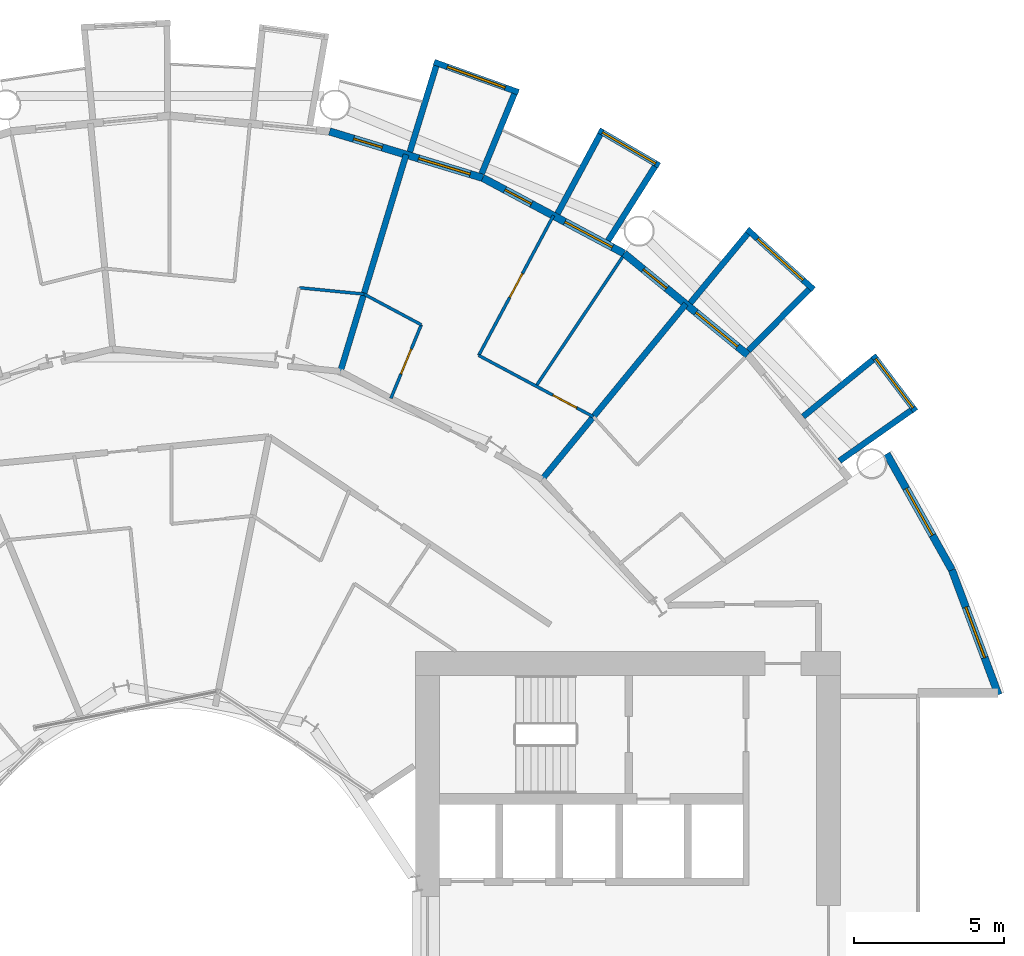
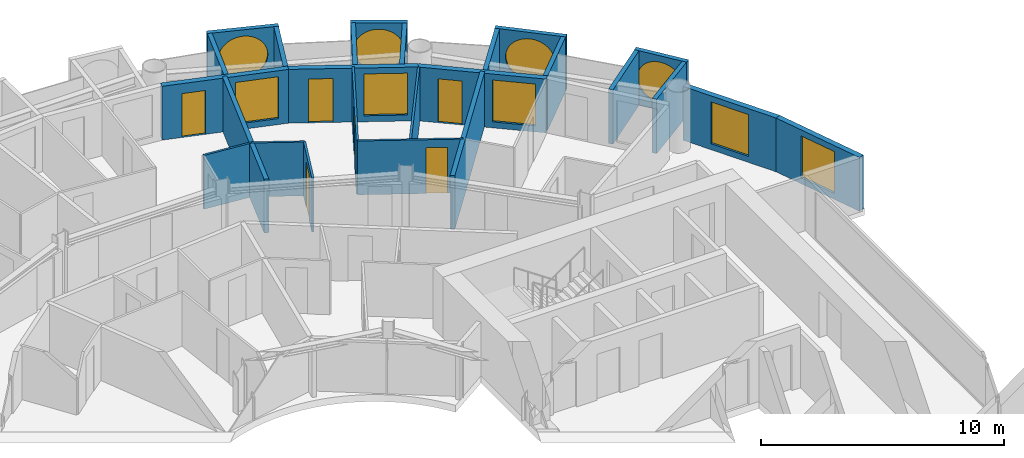
# One storey, part 22 of 26: 25 walls, 9 windows, 6 doors, 15 openings.
"""IFC4 building model written with IfcOpenShell, lengths in metres."""

from ifc_helpers import new_model, si_unit, direction, frame, frame_2d, origin, place, context, subcontext, project, spatial, rectangle, circle, extrude, material, layer, layer_set, type_object, element, fill, save


model = new_model("IFC4")

# Units and contexts
model_context = context("Model", 3, precision=1e-05, world=origin(), true_north=direction((0.0, 1.0)))
body_context = subcontext(model_context, "Body", "Model", "MODEL_VIEW")
ifc_project = project(units=[si_unit("LENGTHUNIT", "METRE"), si_unit("AREAUNIT", "SQUARE_METRE"), si_unit("VOLUMEUNIT", "CUBIC_METRE"), si_unit("PLANEANGLEUNIT", "RADIAN"), si_unit("MASSUNIT", "GRAM", prefix="KILO")], contexts=[model_context])

# Site, building, storey
site_placement = place(None, origin())
site = spatial("IfcSite", under=ifc_project, at=site_placement, CompositionType="ELEMENT")
building_placement = place(site_placement, origin())
building = spatial("IfcBuilding", under=site, at=building_placement, Name="Maasbend Ring Residences", CompositionType="ELEMENT")
storey_placement = place(building_placement, frame((0.0, 0.0, 22.800048828125)))
storey = spatial("IfcBuildingStorey", under=building, at=storey_placement, Name="L05", CompositionType="ELEMENT", Elevation=22.800048828125)

# Wall, opening, window
ifc_material_1 = material(Name="Pale anodised aluminium panel", Category="aluminium")
ifc_layer_1 = layer(ifc_material_1, 0.199951171875)
ifc_layer_set_1 = layer_set([ifc_layer_1], Name="EW-BOX")
wall_type_1 = type_object("IfcWallType", Name="EW-BOX", PredefinedType="SOLIDWALL", material=ifc_layer_set_1)
wall_1_placement = place(storey_placement, frame((24.908935546875, 17.427001953125, -0.030029296875), z_axis=(0.0, 0.0, 1.0), x_axis=(-0.60418752353, 0.796842165306, 0.0)))
wall_1 = element("IfcWall", 1, at=wall_1_placement, inside=storey, type_object=wall_type_1, Name="Box front N01", PredefinedType="SOLIDWALL", context=body_context, shape_type="SweptSolid", body=[
    extrude(rectangle(XDim=2.3369140625, YDim=0.199951171875, at=frame_2d((1.16845703125, 0.0))), origin(), (0.0, 0.0, 1.0), 2.72998046875),
])
opening_1_placement = place(wall_1_placement, frame((0.128173828125, 0.0, 0.330078125)))
opening_1 = element("IfcOpeningElement", 2, at=opening_1_placement, cuts=wall_1, Name="Opening W-RD", PredefinedType="OPENING", context=body_context, shape_type="SweptSolid", body=[
    extrude(circle(Radius=1.0400390625, at=frame_2d((1.0400390625, 1.0400390625))), frame((0.0, 0.10986328125, 0.0), z_axis=(0.0, -1.0, 0.0), x_axis=(1.0, 0.0, 0.0)), (0.0, 0.0, 1.0), 0.219970703125),
])
ifc_material_2 = material(Name="Aluminium and clear glass", Category="aluminium")
window_type_1 = type_object("IfcWindowType", Name="W-RD", PartitioningType="SINGLE_PANEL", PredefinedType="WINDOW", material=ifc_material_2)
window_1_placement = place(opening_1_placement, origin())
window_1 = element("IfcWindow", 3, at=window_1_placement, inside=storey, type_object=window_type_1, Name="Round window N01", OverallHeight=2.080078125, OverallWidth=2.080078125, PartitioningType="SINGLE_PANEL", PredefinedType="WINDOW", context=body_context, shape_type="SweptSolid", body=[
    extrude(circle(Radius=1.0400390625, at=frame_2d((1.0400390625, 1.0400390625))), frame((0.0, 0.030029296875, 0.0), z_axis=(0.0, -1.0, 0.0), x_axis=(1.0, 0.0, 0.0)), (0.0, 0.0, 1.0), 0.06005859375),
])
fill(opening_1, window_1)

# Walls
wall_2_placement = place(storey_placement, frame((22.3701171875, 15.764892578125, -0.030029296875), z_axis=(0.0, 0.0, 1.0), x_axis=(0.817256123454, 0.576274612209, 0.0)))
element("IfcWall", 4, at=wall_2_placement, inside=storey, type_object=wall_type_1, Name="Box side wall N01 left", PredefinedType="SOLIDWALL", context=body_context, shape_type="SweptSolid", body=[
    extrude(rectangle(XDim=2.932861328125, YDim=0.199951171875, at=frame_2d((1.46630859375, 0.0))), origin(), (0.0, 0.0, 1.0), 2.72998046875),
])
wall_3_placement = place(storey_placement, frame((21.155029296875, 17.24609375, -0.030029296875), z_axis=(0.0, 0.0, 1.0), x_axis=(0.775179004516, 0.631741648902, 0.0)))
element("IfcWall", 5, at=wall_3_placement, inside=storey, type_object=wall_type_1, Name="Box side wall N01 right", PredefinedType="SOLIDWALL", context=body_context, shape_type="SweptSolid", body=[
    extrude(rectangle(XDim=3.005859375, YDim=0.199951171875, at=frame_2d((1.5029296875, 0.0))), origin(), (0.0, 0.0, 1.0), 2.72998046875),
])

# Wall, opening, window
wall_4_placement = place(storey_placement, frame((21.5, 21.492919921875, -0.030029296875), z_axis=(0.0, 0.0, 1.0), x_axis=(-0.740998365753, 0.671506829416, 0.0)))
wall_4 = element("IfcWall", 6, at=wall_4_placement, inside=storey, type_object=wall_type_1, Name="Box front N03", PredefinedType="SOLIDWALL", context=body_context, shape_type="SweptSolid", body=[
    extrude(rectangle(XDim=2.9931640625, YDim=0.199951171875, at=frame_2d((1.49658203125, 0.0))), origin(), (0.0, 0.0, 1.0), 2.72998046875),
])
opening_2_placement = place(wall_4_placement, frame((0.45654296875, 0.0, 0.330078125)))
opening_2 = element("IfcOpeningElement", 7, at=opening_2_placement, cuts=wall_4, Name="Opening W-RD", PredefinedType="OPENING", context=body_context, shape_type="SweptSolid", body=[
    extrude(circle(Radius=1.0400390625, at=frame_2d((1.0400390625, 1.0400390625))), frame((0.0, 0.10986328125, 0.0), z_axis=(0.0, -1.0, 0.0), x_axis=(1.0, 0.0, 0.0)), (0.0, 0.0, 1.0), 0.219970703125),
])
window_2_placement = place(opening_2_placement, origin())
window_2 = element("IfcWindow", 8, at=window_2_placement, inside=storey, type_object=window_type_1, Name="Round window N03", OverallHeight=2.080078125, OverallWidth=2.080078125, PartitioningType="SINGLE_PANEL", PredefinedType="WINDOW", context=body_context, shape_type="SweptSolid", body=[
    extrude(circle(Radius=1.0400390625, at=frame_2d((1.0400390625, 1.0400390625))), frame((0.0, 0.030029296875, 0.0), z_axis=(0.0, -1.0, 0.0), x_axis=(1.0, 0.0, 0.0)), (0.0, 0.0, 1.0), 0.06005859375),
])
fill(opening_2, window_2)

# Walls
wall_5_placement = place(storey_placement, frame((19.322998046875, 19.449951171875, -0.030029296875), z_axis=(0.0, 0.0, 1.0), x_axis=(0.704476739375, 0.709727076896, 0.0)))
element("IfcWall", 9, at=wall_5_placement, inside=storey, type_object=wall_type_1, Name="Box side wall N03 left", PredefinedType="SOLIDWALL", context=body_context, shape_type="SweptSolid", body=[
    extrude(rectangle(XDim=2.883056640625, YDim=0.199951171875, at=frame_2d((1.44140625, 0.0))), origin(), (0.0, 0.0, 1.0), 2.72998046875),
])
wall_6_placement = place(storey_placement, frame((17.384033203125, 21.041015625, -0.030029296875), z_axis=(0.0, 0.0, 1.0), x_axis=(0.63709551667, 0.770784861449, 0.0)))
element("IfcWall", 10, at=wall_6_placement, inside=storey, type_object=wall_type_1, Name="Box side wall N03 right", PredefinedType="SOLIDWALL", context=body_context, shape_type="SweptSolid", body=[
    extrude(rectangle(XDim=3.005859375, YDim=0.199951171875, at=frame_2d((1.5029296875, 0.0))), origin(), (0.0, 0.0, 1.0), 2.72998046875),
])

# Wall, opening, window
wall_7_placement = place(storey_placement, frame((16.343994140625, 25.633056640625, -0.030029296875), z_axis=(0.0, 0.0, 1.0), x_axis=(-0.863346521872, 0.504611517081, 0.0)))
wall_7 = element("IfcWall", 11, at=wall_7_placement, inside=storey, type_object=wall_type_1, Name="Box front N05", PredefinedType="SOLIDWALL", context=body_context, shape_type="SweptSolid", body=[
    extrude(rectangle(XDim=2.33642578125, YDim=0.199951171875, at=frame_2d((1.168212890625, 0.0))), origin(), (0.0, 0.0, 1.0), 2.72998046875),
])
opening_3_placement = place(wall_7_placement, frame((0.128173828125, 0.0, 0.330078125)))
opening_3 = element("IfcOpeningElement", 12, at=opening_3_placement, cuts=wall_7, Name="Opening W-RD", PredefinedType="OPENING", context=body_context, shape_type="SweptSolid", body=[
    extrude(circle(Radius=1.0400390625, at=frame_2d((1.0400390625, 1.0400390625))), frame((0.0, 0.10986328125, 0.0), z_axis=(0.0, -1.0, 0.0), x_axis=(1.0, 0.0, 0.0)), (0.0, 0.0, 1.0), 0.219970703125),
])
window_3_placement = place(opening_3_placement, origin())
window_3 = element("IfcWindow", 13, at=window_3_placement, inside=storey, type_object=window_type_1, Name="Round window N05", OverallHeight=2.080078125, OverallWidth=2.080078125, PartitioningType="SINGLE_PANEL", PredefinedType="WINDOW", context=body_context, shape_type="SweptSolid", body=[
    extrude(circle(Radius=1.0400390625, at=frame_2d((1.0400390625, 1.0400390625))), frame((0.0, 0.030029296875, 0.0), z_axis=(0.0, -1.0, 0.0), x_axis=(1.0, 0.0, 0.0)), (0.0, 0.0, 1.0), 0.06005859375),
])
fill(opening_3, window_3)

# Walls
wall_8_placement = place(storey_placement, frame((14.635009765625, 23.1259765625, -0.030029296875), z_axis=(0.0, 0.0, 1.0), x_axis=(0.534437802731, 0.845207805816, 0.0)))
element("IfcWall", 14, at=wall_8_placement, inside=storey, type_object=wall_type_1, Name="Box side wall N05 left", PredefinedType="SOLIDWALL", context=body_context, shape_type="SweptSolid", body=[
    extrude(rectangle(XDim=2.931884765625, YDim=0.199951171875, at=frame_2d((1.4658203125, 0.0))), origin(), (0.0, 0.0, 1.0), 2.72998046875),
])
wall_9_placement = place(storey_placement, frame((12.945068359375, 24.029052734375, -0.030029296875), z_axis=(0.0, 0.0, 1.0), x_axis=(0.474424310775, 0.88029629861, 0.0)))
element("IfcWall", 15, at=wall_9_placement, inside=storey, type_object=wall_type_1, Name="Box side wall N05 right", PredefinedType="SOLIDWALL", context=body_context, shape_type="SweptSolid", body=[
    extrude(rectangle(XDim=3.005859375, YDim=0.199951171875, at=frame_2d((1.5029296875, 0.0))), origin(), (0.0, 0.0, 1.0), 2.72998046875),
])

# Wall, opening, window
wall_10_placement = place(storey_placement, frame((11.637939453125, 28.083984375, -0.030029296875), z_axis=(0.0, 0.0, 1.0), x_axis=(-0.941461077774, 0.337121697664, 0.0)))
wall_10 = element("IfcWall", 16, at=wall_10_placement, inside=storey, type_object=wall_type_1, Name="Box front N07", PredefinedType="SOLIDWALL", context=body_context, shape_type="SweptSolid", body=[
    extrude(rectangle(XDim=2.9931640625, YDim=0.199951171875, at=frame_2d((1.49658203125, 0.0))), origin(), (0.0, 0.0, 1.0), 2.72998046875),
])
opening_4_placement = place(wall_10_placement, frame((0.45654296875, 0.0, 0.330078125)))
opening_4 = element("IfcOpeningElement", 17, at=opening_4_placement, cuts=wall_10, Name="Opening W-RD", PredefinedType="OPENING", context=body_context, shape_type="SweptSolid", body=[
    extrude(circle(Radius=1.0400390625, at=frame_2d((1.0400390625, 1.0400390625))), frame((0.0, 0.10986328125, 0.0), z_axis=(0.0, -1.0, 0.0), x_axis=(1.0, 0.0, 0.0)), (0.0, 0.0, 1.0), 0.219970703125),
])
window_4_placement = place(opening_4_placement, origin())
window_4 = element("IfcWindow", 18, at=window_4_placement, inside=storey, type_object=window_type_1, Name="Round window N07", OverallHeight=2.080078125, OverallWidth=2.080078125, PartitioningType="SINGLE_PANEL", PredefinedType="WINDOW", context=body_context, shape_type="SweptSolid", body=[
    extrude(circle(Radius=1.0400390625, at=frame_2d((1.0400390625, 1.0400390625))), frame((0.0, 0.030029296875, 0.0), z_axis=(0.0, -1.0, 0.0), x_axis=(1.0, 0.0, 0.0)), (0.0, 0.0, 1.0), 0.06005859375),
])
fill(opening_4, window_4)

# Walls
wall_11_placement = place(storey_placement, frame((10.408935546875, 25.364013671875, -0.030029296875), z_axis=(0.0, 0.0, 1.0), x_axis=(0.379509886562, 0.925187681501, 0.0)))
element("IfcWall", 19, at=wall_11_placement, inside=storey, type_object=wall_type_1, Name="Box side wall N07 left", PredefinedType="SOLIDWALL", context=body_context, shape_type="SweptSolid", body=[
    extrude(rectangle(XDim=2.882568359375, YDim=0.199951171875, at=frame_2d((1.44140625, 0.0))), origin(), (0.0, 0.0, 1.0), 2.72998046875),
])
wall_12_placement = place(storey_placement, frame((8.009033203125, 26.092041015625, -0.030029296875), z_axis=(0.0, 0.0, 1.0), x_axis=(0.293406695073, 0.955987715029, 0.0)))
element("IfcWall", 20, at=wall_12_placement, inside=storey, type_object=wall_type_1, Name="Box side wall N07 right", PredefinedType="SOLIDWALL", context=body_context, shape_type="SweptSolid", body=[
    extrude(rectangle(XDim=3.00634765625, YDim=0.199951171875, at=frame_2d((1.503173828125, 0.0))), origin(), (0.0, 0.0, 1.0), 2.72998046875),
])

# Wall, openings, door, window
ifc_material_3 = material(Name="Aluminium clad insulated panel", Category="aluminium")
ifc_layer_2 = layer(ifc_material_3, 0.25)
ifc_layer_set_2 = layer_set([ifc_layer_2], Name="EW-GL")
wall_type_2 = type_object("IfcWallType", Name="EW-GL", PredefinedType="SOLIDWALL", material=ifc_layer_set_2)
wall_13_placement = place(storey_placement, frame((19.303955078125, 19.303955078125, 0.0), z_axis=(0.0, 0.0, 1.0), x_axis=(-0.773019449054, 0.634382322723, 0.0)))
wall_13 = element("IfcWall", 21, at=wall_13_placement, inside=storey, type_object=wall_type_2, Name="External wall N02", PredefinedType="SOLIDWALL", context=body_context, shape_type="SweptSolid", body=[
    extrude(rectangle(XDim=5.351806640625, YDim=0.25, at=frame_2d((2.67578125, 0.0))), origin(), (0.0, 0.0, 1.0), 2.699951171875),
])
opening_5_placement = place(wall_13_placement, frame((0.441162109375, 0.0, 0.300048828125)))
opening_5 = element("IfcOpeningElement", 22, at=opening_5_placement, cuts=wall_13, Name="Opening W-BX", PredefinedType="OPENING", context=body_context, shape_type="SweptSolid", body=[
    extrude(rectangle(XDim=1.800048828125, YDim=2.10009765625, at=frame_2d((0.89990234375, 1.050048828125))), frame((0.0, 0.135009765625, 0.0), z_axis=(0.0, -1.0, 0.0), x_axis=(1.0, 0.0, 0.0)), (0.0, 0.0, 1.0), 0.27001953125),
])
opening_6_placement = place(wall_13_placement, frame((3.510498046875, 0.0, 0.0)))
opening_6 = element("IfcOpeningElement", 23, at=opening_6_placement, cuts=wall_13, Name="Opening D-LG", PredefinedType="OPENING", context=body_context, shape_type="SweptSolid", body=[
    extrude(rectangle(XDim=1.0, YDim=2.199951171875, at=frame_2d((0.5, 1.10009765625))), frame((0.0, 0.135009765625, 0.0), z_axis=(0.0, -1.0, 0.0), x_axis=(1.0, 0.0, 0.0)), (0.0, 0.0, 1.0), 0.27001953125),
])
ifc_material_4 = material(Name="Aluminium and clear glass", Category="aluminium")
door_type_1 = type_object("IfcDoorType", Name="D-LG", OperationType="SINGLE_SWING_LEFT", PredefinedType="DOOR", material=ifc_material_4)
door_1_placement = place(opening_6_placement, origin())
door_1 = element("IfcDoor", 24, at=door_1_placement, inside=storey, type_object=door_type_1, Name="Loggia door N04", OperationType="SINGLE_SWING_LEFT", OverallHeight=2.199951171875, OverallWidth=1.0, PredefinedType="DOOR", context=body_context, shape_type="SweptSolid", body=[
    extrude(rectangle(XDim=1.0, YDim=2.199951171875, at=frame_2d((0.5, 1.10009765625))), frame((0.0, 0.02490234375, 0.0), z_axis=(0.0, -1.0, 0.0), x_axis=(1.0, 0.0, 0.0)), (0.0, 0.0, 1.0), 0.050048828125),
])
fill(opening_6, door_1)
ifc_material_5 = material(Name="Aluminium and clear glass", Category="aluminium")
window_type_2 = type_object("IfcWindowType", Name="W-BX", PartitioningType="DOUBLE_PANEL_VERTICAL", PredefinedType="WINDOW", material=ifc_material_5)
window_5_placement = place(opening_5_placement, origin())
window_5 = element("IfcWindow", 25, at=window_5_placement, inside=storey, type_object=window_type_2, Name="Window N03 room to box", OverallHeight=2.10009765625, OverallWidth=1.800048828125, PartitioningType="SINGLE_PANEL", PredefinedType="WINDOW", context=body_context, shape_type="SweptSolid", body=[
    extrude(rectangle(XDim=1.800048828125, YDim=2.10009765625, at=frame_2d((0.89990234375, 1.050048828125))), frame((0.0, 0.030029296875, 0.0), z_axis=(0.0, -1.0, 0.0), x_axis=(1.0, 0.0, 0.0)), (0.0, 0.0, 1.0), 0.06005859375),
])
fill(opening_5, window_5)

wall_14_placement = place(storey_placement, frame((15.1669921875, 22.698974609375, 0.0), z_axis=(0.0, 0.0, 1.0), x_axis=(-0.881915646801, 0.471407246368, 0.0)))
wall_14 = element("IfcWall", 26, at=wall_14_placement, inside=storey, type_object=wall_type_2, Name="External wall N03", PredefinedType="SOLIDWALL", context=body_context, shape_type="SweptSolid", body=[
    extrude(rectangle(XDim=5.35205078125, YDim=0.25, at=frame_2d((2.676025390625, 0.0))), origin(), (0.0, 0.0, 1.0), 2.699951171875),
])
opening_7_placement = place(wall_14_placement, frame((0.441162109375, 0.0, 0.300048828125)))
opening_7 = element("IfcOpeningElement", 27, at=opening_7_placement, cuts=wall_14, Name="Opening W-BX", PredefinedType="OPENING", context=body_context, shape_type="SweptSolid", body=[
    extrude(rectangle(XDim=1.800048828125, YDim=2.10009765625, at=frame_2d((0.89990234375, 1.050048828125))), frame((0.0, 0.135009765625, 0.0), z_axis=(0.0, -1.0, 0.0), x_axis=(1.0, 0.0, 0.0)), (0.0, 0.0, 1.0), 0.27001953125),
])
opening_8_placement = place(wall_14_placement, frame((3.510498046875, 0.0, 0.0)))
opening_8 = element("IfcOpeningElement", 28, at=opening_8_placement, cuts=wall_14, Name="Opening D-LG", PredefinedType="OPENING", context=body_context, shape_type="SweptSolid", body=[
    extrude(rectangle(XDim=1.0, YDim=2.199951171875, at=frame_2d((0.5, 1.10009765625))), frame((0.0, 0.135009765625, 0.0), z_axis=(0.0, -1.0, 0.0), x_axis=(1.0, 0.0, 0.0)), (0.0, 0.0, 1.0), 0.27001953125),
])
door_2_placement = place(opening_8_placement, origin())
door_2 = element("IfcDoor", 29, at=door_2_placement, inside=storey, type_object=door_type_1, Name="Loggia door N06", OperationType="SINGLE_SWING_LEFT", OverallHeight=2.199951171875, OverallWidth=1.0, PredefinedType="DOOR", context=body_context, shape_type="SweptSolid", body=[
    extrude(rectangle(XDim=1.0, YDim=2.199951171875, at=frame_2d((0.5, 1.10009765625))), frame((0.0, 0.02490234375, 0.0), z_axis=(0.0, -1.0, 0.0), x_axis=(1.0, 0.0, 0.0)), (0.0, 0.0, 1.0), 0.050048828125),
])
fill(opening_8, door_2)
window_6_placement = place(opening_7_placement, origin())
window_6 = element("IfcWindow", 30, at=window_6_placement, inside=storey, type_object=window_type_2, Name="Window N05 room to box", OverallHeight=2.10009765625, OverallWidth=1.800048828125, PartitioningType="SINGLE_PANEL", PredefinedType="WINDOW", context=body_context, shape_type="SweptSolid", body=[
    extrude(rectangle(XDim=1.800048828125, YDim=2.10009765625, at=frame_2d((0.89990234375, 1.050048828125))), frame((0.0, 0.030029296875, 0.0), z_axis=(0.0, -1.0, 0.0), x_axis=(1.0, 0.0, 0.0)), (0.0, 0.0, 1.0), 0.06005859375),
])
fill(opening_7, window_6)

wall_15_placement = place(storey_placement, frame((10.447021484375, 25.221923828125, 0.0), z_axis=(0.0, 0.0, 1.0), x_axis=(-0.956965678721, 0.290201119486, 0.0)))
wall_15 = element("IfcWall", 31, at=wall_15_placement, inside=storey, type_object=wall_type_2, Name="External wall N04", PredefinedType="SOLIDWALL", context=body_context, shape_type="SweptSolid", body=[
    extrude(rectangle(XDim=5.351318359375, YDim=0.25, at=frame_2d((2.67578125, 0.0))), origin(), (0.0, 0.0, 1.0), 2.699951171875),
])
opening_9_placement = place(wall_15_placement, frame((0.441162109375, 0.0, 0.300048828125)))
opening_9 = element("IfcOpeningElement", 32, at=opening_9_placement, cuts=wall_15, Name="Opening W-BX", PredefinedType="OPENING", context=body_context, shape_type="SweptSolid", body=[
    extrude(rectangle(XDim=1.800048828125, YDim=2.10009765625, at=frame_2d((0.89990234375, 1.050048828125))), frame((0.0, 0.135009765625, 0.0), z_axis=(0.0, -1.0, 0.0), x_axis=(1.0, 0.0, 0.0)), (0.0, 0.0, 1.0), 0.27001953125),
])
opening_10_placement = place(wall_15_placement, frame((3.510498046875, 0.0, 0.0)))
opening_10 = element("IfcOpeningElement", 33, at=opening_10_placement, cuts=wall_15, Name="Opening D-LG", PredefinedType="OPENING", context=body_context, shape_type="SweptSolid", body=[
    extrude(rectangle(XDim=1.0, YDim=2.199951171875, at=frame_2d((0.5, 1.10009765625))), frame((0.0, 0.135009765625, 0.0), z_axis=(0.0, -1.0, 0.0), x_axis=(1.0, 0.0, 0.0)), (0.0, 0.0, 1.0), 0.27001953125),
])
door_3_placement = place(opening_10_placement, origin())
door_3 = element("IfcDoor", 34, at=door_3_placement, inside=storey, type_object=door_type_1, Name="Loggia door N08", OperationType="SINGLE_SWING_LEFT", OverallHeight=2.199951171875, OverallWidth=1.0, PredefinedType="DOOR", context=body_context, shape_type="SweptSolid", body=[
    extrude(rectangle(XDim=1.0, YDim=2.199951171875, at=frame_2d((0.5, 1.10009765625))), frame((0.0, 0.02490234375, 0.0), z_axis=(0.0, -1.0, 0.0), x_axis=(1.0, 0.0, 0.0)), (0.0, 0.0, 1.0), 0.050048828125),
])
fill(opening_10, door_3)
window_7_placement = place(opening_9_placement, origin())
window_7 = element("IfcWindow", 35, at=window_7_placement, inside=storey, type_object=window_type_2, Name="Window N07 room to box", OverallHeight=2.10009765625, OverallWidth=1.800048828125, PartitioningType="SINGLE_PANEL", PredefinedType="WINDOW", context=body_context, shape_type="SweptSolid", body=[
    extrude(rectangle(XDim=1.800048828125, YDim=2.10009765625, at=frame_2d((0.89990234375, 1.050048828125))), frame((0.0, 0.030029296875, 0.0), z_axis=(0.0, -1.0, 0.0), x_axis=(1.0, 0.0, 0.0)), (0.0, 0.0, 1.0), 0.06005859375),
])
fill(opening_9, window_7)

# Wall, opening, window
ifc_material_6 = material(Name="Aluminium clad insulated panel", Category="aluminium")
ifc_layer_3 = layer(ifc_material_6, 0.25)
ifc_layer_set_3 = layer_set([ifc_layer_3], Name="EW-HORN")
wall_type_3 = type_object("IfcWallType", Name="EW-HORN", PredefinedType="SOLIDWALL", material=ifc_layer_set_3)
wall_16_placement = place(storey_placement, frame((27.681884765625, 7.945068359375, 0.0), z_axis=(0.0, 0.0, 1.0), x_axis=(-0.349247811493, 0.937030397675, 0.0)))
wall_16 = element("IfcWall", 36, at=wall_16_placement, inside=storey, type_object=wall_type_3, Name="Horn wall 1.1", PredefinedType="SOLIDWALL", context=body_context, shape_type="SweptSolid", body=[
    extrude(rectangle(XDim=4.4521484375, YDim=0.25, at=frame_2d((2.22607421875, 0.0))), origin(), (0.0, 0.0, 1.0), 2.699951171875),
])
opening_11_placement = place(wall_16_placement, frame((1.32666015625, 0.0, 0.300048828125)))
opening_11 = element("IfcOpeningElement", 37, at=opening_11_placement, cuts=wall_16, Name="Opening W-BX", PredefinedType="OPENING", context=body_context, shape_type="SweptSolid", body=[
    extrude(rectangle(XDim=1.800048828125, YDim=2.10009765625, at=frame_2d((0.89990234375, 1.050048828125))), frame((0.0, 0.135009765625, 0.0), z_axis=(0.0, -1.0, 0.0), x_axis=(1.0, 0.0, 0.0)), (0.0, 0.0, 1.0), 0.27001953125),
])
window_8_placement = place(opening_11_placement, origin())
window_8 = element("IfcWindow", 38, at=window_8_placement, inside=storey, type_object=window_type_2, Name="Horn window 1.1", OverallHeight=2.10009765625, OverallWidth=1.800048828125, PartitioningType="SINGLE_PANEL", PredefinedType="WINDOW", context=body_context, shape_type="SweptSolid", body=[
    extrude(rectangle(XDim=1.800048828125, YDim=2.10009765625, at=frame_2d((0.89990234375, 1.050048828125))), frame((0.0, 0.030029296875, 0.0), z_axis=(0.0, -1.0, 0.0), x_axis=(1.0, 0.0, 0.0)), (0.0, 0.0, 1.0), 0.06005859375),
])
fill(opening_11, window_8)

wall_17_placement = place(storey_placement, frame((26.126953125, 12.116943359375, 0.0), z_axis=(0.0, 0.0, 1.0), x_axis=(-0.489696356642, 0.871893042919, 0.0)))
wall_17 = element("IfcWall", 39, at=wall_17_placement, inside=storey, type_object=wall_type_3, Name="Horn wall 1.2", PredefinedType="SOLIDWALL", context=body_context, shape_type="SweptSolid", body=[
    extrude(rectangle(XDim=4.45361328125, YDim=0.25, at=frame_2d((2.226806640625, 0.0))), origin(), (0.0, 0.0, 1.0), 2.699951171875),
])
opening_12_placement = place(wall_17_placement, frame((1.32666015625, 0.0, 0.300048828125)))
opening_12 = element("IfcOpeningElement", 40, at=opening_12_placement, cuts=wall_17, Name="Opening W-BX", PredefinedType="OPENING", context=body_context, shape_type="SweptSolid", body=[
    extrude(rectangle(XDim=1.800048828125, YDim=2.10009765625, at=frame_2d((0.89990234375, 1.050048828125))), frame((0.0, 0.135009765625, 0.0), z_axis=(0.0, -1.0, 0.0), x_axis=(1.0, 0.0, 0.0)), (0.0, 0.0, 1.0), 0.27001953125),
])
window_9_placement = place(opening_12_placement, origin())
window_9 = element("IfcWindow", 41, at=window_9_placement, inside=storey, type_object=window_type_2, Name="Horn window 1.2", OverallHeight=2.10009765625, OverallWidth=1.800048828125, PartitioningType="SINGLE_PANEL", PredefinedType="WINDOW", context=body_context, shape_type="SweptSolid", body=[
    extrude(rectangle(XDim=1.800048828125, YDim=2.10009765625, at=frame_2d((0.89990234375, 1.050048828125))), frame((0.0, 0.030029296875, 0.0), z_axis=(0.0, -1.0, 0.0), x_axis=(1.0, 0.0, 0.0)), (0.0, 0.0, 1.0), 0.06005859375),
])
fill(opening_12, window_9)

# Wall, opening, door
ifc_material_7 = material(Name="Gypsum board on steel studs", Category="steel")
ifc_layer_4 = layer(ifc_material_7, 0.10009765625)
ifc_layer_set_4 = layer_set([ifc_layer_4], Name="PARTITION 100 GYPSUM")
wall_type_4 = type_object("IfcWallType", Name="PARTITION 100 GYPSUM", PredefinedType="PARTITIONING", material=ifc_layer_set_4)
wall_18_placement = place(storey_placement, frame((7.3759765625, 17.85498046875, 0.0), z_axis=(0.0, 0.0, 1.0), x_axis=(0.38190329031, 0.924202292169, 0.0)))
wall_18 = element("IfcWall", 42, at=wall_18_placement, inside=storey, type_object=wall_type_4, Name="U-L05-w083", PredefinedType="PARTITIONING", context=body_context, shape_type="SweptSolid", body=[
    extrude(rectangle(XDim=2.66064453125, YDim=0.10009765625, at=frame_2d((1.330322265625, 0.0))), origin(), (0.0, 0.0, 1.0), 2.699951171875),
])
opening_13_placement = place(wall_18_placement, frame((0.8798828125, 0.0, 0.0)))
opening_13 = element("IfcOpeningElement", 43, at=opening_13_placement, cuts=wall_18, Name="Opening D-0505", PredefinedType="OPENING", context=body_context, shape_type="SweptSolid", body=[
    extrude(rectangle(XDim=0.89990234375, YDim=2.300048828125, at=frame_2d((0.449951171875, 1.14990234375))), frame((0.0, 0.06005859375, 0.0), z_axis=(0.0, -1.0, 0.0), x_axis=(1.0, 0.0, 0.0)), (0.0, 0.0, 1.0), 0.1201171875),
])
ifc_material_8 = material(Name="Timber, painted", Category="wood")
door_type_2 = type_object("IfcDoorType", Name="INTERNAL DOOR 900 X 2300", OperationType="NOTDEFINED", PredefinedType="DOOR", material=ifc_material_8)
door_4_placement = place(opening_13_placement, origin())
door_4 = element("IfcDoor", 44, at=door_4_placement, inside=storey, type_object=door_type_2, Name="D-0505", OperationType="SINGLE_SWING_RIGHT", OverallHeight=2.300048828125, OverallWidth=0.89990234375, PredefinedType="DOOR", context=body_context, shape_type="SweptSolid", body=[
    extrude(rectangle(XDim=0.89990234375, YDim=2.300048828125, at=frame_2d((0.449951171875, 1.14990234375))), frame((0.0, 0.02490234375, 0.0), z_axis=(0.0, -1.0, 0.0), x_axis=(1.0, 0.0, 0.0)), (0.0, 0.0, 1.0), 0.050048828125),
])
fill(opening_13, door_4)

wall_19_placement = place(storey_placement, frame((10.31005859375, 19.2890625, 0.0), z_axis=(0.0, 0.0, 1.0), x_axis=(0.47140999111, 0.881914179658, 0.0)))
wall_19 = element("IfcWall", 45, at=wall_19_placement, inside=storey, type_object=wall_type_4, Name="U-L05-w084", PredefinedType="PARTITIONING", context=body_context, shape_type="SweptSolid", body=[
    extrude(rectangle(XDim=5.30322265625, YDim=0.10009765625, at=frame_2d((2.651611328125, 0.0))), origin(), (0.0, 0.0, 1.0), 2.699951171875),
])
opening_14_placement = place(wall_19_placement, frame((2.201904296875, 0.0, 0.0)))
opening_14 = element("IfcOpeningElement", 46, at=opening_14_placement, cuts=wall_19, Name="Opening D-0506", PredefinedType="OPENING", context=body_context, shape_type="SweptSolid", body=[
    extrude(rectangle(XDim=0.89990234375, YDim=2.300048828125, at=frame_2d((0.449951171875, 1.14990234375))), frame((0.0, 0.06005859375, 0.0), z_axis=(0.0, -1.0, 0.0), x_axis=(1.0, 0.0, 0.0)), (0.0, 0.0, 1.0), 0.1201171875),
])
door_5_placement = place(opening_14_placement, origin())
door_5 = element("IfcDoor", 47, at=door_5_placement, inside=storey, type_object=door_type_2, Name="D-0506", OperationType="SINGLE_SWING_RIGHT", OverallHeight=2.300048828125, OverallWidth=0.89990234375, PredefinedType="DOOR", context=body_context, shape_type="SweptSolid", body=[
    extrude(rectangle(XDim=0.89990234375, YDim=2.300048828125, at=frame_2d((0.449951171875, 1.14990234375))), frame((0.0, 0.02490234375, 0.0), z_axis=(0.0, -1.0, 0.0), x_axis=(1.0, 0.0, 0.0)), (0.0, 0.0, 1.0), 0.050048828125),
])
fill(opening_14, door_5)

# Walls
wall_20_placement = place(storey_placement, frame((12.22900390625, 18.263916015625, 0.0), z_axis=(0.0, 0.0, 1.0), x_axis=(0.556271707676, 0.83100047367, 0.0)))
element("IfcWall", 48, at=wall_20_placement, inside=storey, type_object=wall_type_4, Name="U-L05-w086", PredefinedType="PARTITIONING", context=body_context, shape_type="SweptSolid", body=[
    extrude(rectangle(XDim=5.195068359375, YDim=0.10009765625, at=frame_2d((2.59765625, 0.0))), origin(), (0.0, 0.0, 1.0), 2.699951171875),
])
wall_21_placement = place(storey_placement, frame((4.31298828125, 21.552001953125, 0.0), z_axis=(0.0, 0.0, 1.0), x_axis=(0.995195976339, -0.097902853268, 0.0)))
element("IfcWall", 49, at=wall_21_placement, inside=storey, type_object=wall_type_4, Name="U-L05-w122", PredefinedType="PARTITIONING", context=body_context, shape_type="SweptSolid", body=[
    extrude(rectangle(XDim=2.174560546875, YDim=0.10009765625, at=frame_2d((1.08740234375, 0.0))), origin(), (0.0, 0.0, 1.0), 2.699951171875),
])
wall_22_placement = place(storey_placement, frame((6.472900390625, 21.340087890625, 0.0), z_axis=(0.0, 0.0, 1.0), x_axis=(0.881864921102, -0.471502132476, 0.0)))
element("IfcWall", 50, at=wall_22_placement, inside=storey, type_object=wall_type_4, Name="U-L05-w123", PredefinedType="PARTITIONING", context=body_context, shape_type="SweptSolid", body=[
    extrude(rectangle(XDim=2.17626953125, YDim=0.10009765625, at=frame_2d((1.088134765625, 0.0))), origin(), (0.0, 0.0, 1.0), 2.699951171875),
])

# Wall, opening, door
wall_23_placement = place(storey_placement, frame((10.31201171875, 19.2880859375, 0.0), z_axis=(0.0, 0.0, 1.0), x_axis=(0.881763472003, -0.471691826769, 0.0)))
wall_23 = element("IfcWall", 51, at=wall_23_placement, inside=storey, type_object=wall_type_4, Name="U-L05-w124", PredefinedType="PARTITIONING", context=body_context, shape_type="SweptSolid", body=[
    extrude(rectangle(XDim=4.350341796875, YDim=0.10009765625, at=frame_2d((2.17529296875, 0.0))), origin(), (0.0, 0.0, 1.0), 2.699951171875),
])
opening_15_placement = place(wall_23_placement, frame((2.81103515625, 0.0, 0.0)))
opening_15 = element("IfcOpeningElement", 52, at=opening_15_placement, cuts=wall_23, Name="Opening D-0507", PredefinedType="OPENING", context=body_context, shape_type="SweptSolid", body=[
    extrude(rectangle(XDim=0.89990234375, YDim=2.300048828125, at=frame_2d((0.449951171875, 1.14990234375))), frame((0.0, 0.06005859375, 0.0), z_axis=(0.0, -1.0, 0.0), x_axis=(1.0, 0.0, 0.0)), (0.0, 0.0, 1.0), 0.1201171875),
])
door_6_placement = place(opening_15_placement, origin())
door_6 = element("IfcDoor", 53, at=door_6_placement, inside=storey, type_object=door_type_2, Name="D-0507", OperationType="SINGLE_SWING_RIGHT", OverallHeight=2.300048828125, OverallWidth=0.89990234375, PredefinedType="DOOR", context=body_context, shape_type="SweptSolid", body=[
    extrude(rectangle(XDim=0.89990234375, YDim=2.300048828125, at=frame_2d((0.449951171875, 1.14990234375))), frame((0.0, 0.02490234375, 0.0), z_axis=(0.0, -1.0, 0.0), x_axis=(1.0, 0.0, 0.0)), (0.0, 0.0, 1.0), 0.050048828125),
])
fill(opening_15, door_6)

# Walls
ifc_material_9 = material(Name="Concrete C30/37", Category="concrete")
ifc_layer_5 = layer(ifc_material_9, 0.199951171875)
ifc_layer_set_5 = layer_set([ifc_layer_5], Name="Concrete C30/37")
wall_type_5 = type_object("IfcWallType", Name="PARTY WALL 200 CONCRETE", PredefinedType="PARTITIONING", material=ifc_layer_set_5)
wall_24_placement = place(storey_placement, frame((5.68994140625, 18.756103515625, 0.0), z_axis=(0.0, 0.0, 1.0), x_axis=(0.29005838641, 0.957008951094, 0.0)))
element("IfcWall", 54, at=wall_24_placement, inside=storey, type_object=wall_type_5, Name="U-L05-w032", PredefinedType="PARTITIONING", context=body_context, shape_type="SweptSolid", body=[
    extrude(rectangle(XDim=7.574462890625, YDim=0.199951171875, at=frame_2d((3.787109375, 0.0))), origin(), (0.0, 0.0, 1.0), 2.699951171875),
])
wall_25_placement = place(storey_placement, frame((12.431884765625, 15.152099609375, 0.0), z_axis=(0.0, 0.0, 1.0), x_axis=(0.634353152115, 0.77304338714, 0.0)))
element("IfcWall", 55, at=wall_25_placement, inside=storey, type_object=wall_type_5, Name="U-L05-w088", PredefinedType="PARTITIONING", context=body_context, shape_type="SweptSolid", body=[
    extrude(rectangle(XDim=7.576416015625, YDim=0.199951171875, at=frame_2d((3.7880859375, 0.0))), origin(), (0.0, 0.0, 1.0), 2.699951171875),
])

save(model, "model.ifc")
